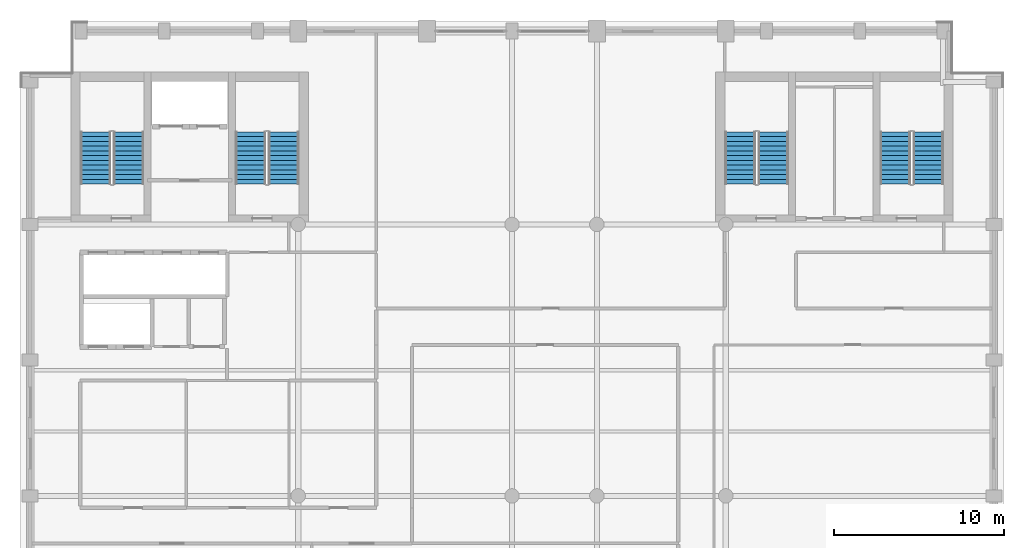
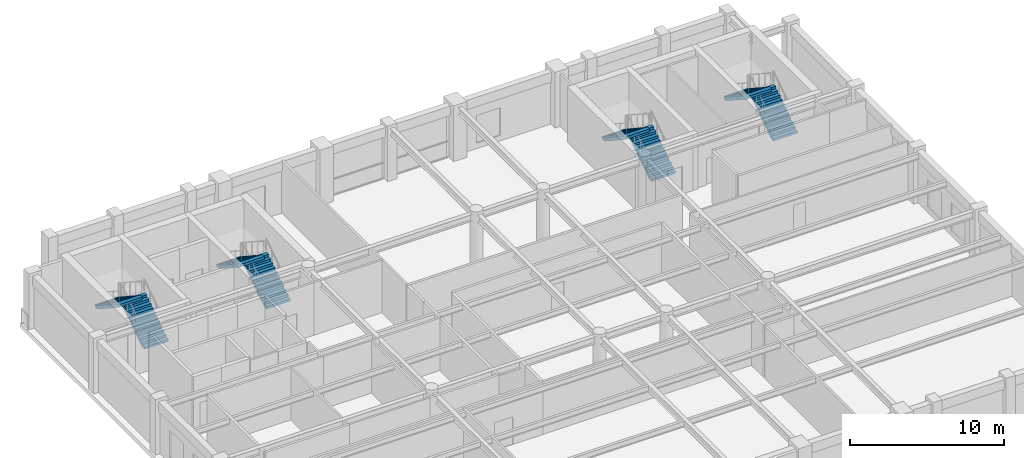
# One storey, part 10 of 13: 8 stair flights, 4 elements without a shape of their own.
"""IFC4 building model written with IfcOpenShell, lengths in metres."""

import ifcopenshell
import ifcopenshell.guid

model = None  # the IFC model being written
_history = None  # IfcOwnerHistory: only IFC2X3 demands one
_inside = {}  # id of a spatial element -> (the spatial element, [elements in it])
_under = {}  # id of a project, library or spatial element -> (it, [spatial elements below it])
_declared = {}  # id of a project -> (the project, [libraries it declares])
_typed = {}  # id of a type object -> (the type object, [elements of that type])
_made_of = {}  # id of a material, layer set ... -> (it, [elements and type objects made of it])


def new_model(schema):
    """Start an empty IFC model of exactly this schema.

    Asked for "IFC4X3", IfcOpenShell would pick the latest addendum, in which some entities
    have other attributes; the version numbers below select the first issue.
    IFC2X3 requires an IfcOwnerHistory on every rooted entity: one is made here for all.
    """
    global model, _history
    if schema == "IFC4X3":
        model = ifcopenshell.file(schema_version=(4, 3, 0, 0))
    else:
        model = ifcopenshell.file(schema=schema)
    _inside.clear()
    _under.clear()
    _declared.clear()
    _typed.clear()
    _made_of.clear()
    _history = None
    if model.schema == "IFC2X3":
        org = make("IfcOrganization", Name="unknown")
        user = make(
            "IfcPersonAndOrganization",
            ThePerson=make("IfcPerson", FamilyName="unknown"),
            TheOrganization=org,
        )
        app = make(
            "IfcApplication",
            ApplicationDeveloper=org,
            Version="unknown",
            ApplicationFullName="unknown",
            ApplicationIdentifier="unknown",
        )
        _history = make(
            "IfcOwnerHistory",
            OwningUser=user,
            OwningApplication=app,
            ChangeAction="ADDED",
            CreationDate=0,
        )
    return model


def make(cls, **values):
    """One entity of the class cls with the attributes given. An attribute that is None is left unset."""
    return model.create_entity(
        cls, **{name: value for name, value in values.items() if value is not None}
    )


def rooted(cls, **values):
    """An entity with a GlobalId (a new one), such as an element, a storey or a relation."""
    return make(cls, GlobalId=ifcopenshell.guid.new(), OwnerHistory=_history, **values)


def si_unit(unit_type, name, prefix=None):
    """IfcSIUnit, for example si_unit("LENGTHUNIT", "METRE", prefix="MILLI")."""
    return make("IfcSIUnit", UnitType=unit_type, Prefix=prefix, Name=name)


def assignment(units):
    """IfcUnitAssignment: the units of a project."""
    return None if units is None else make("IfcUnitAssignment", Units=units)


def point(xyz):
    """IfcCartesianPoint."""
    return None if xyz is None else make("IfcCartesianPoint", Coordinates=xyz)


def direction(xyz):
    """IfcDirection."""
    return None if xyz is None else make("IfcDirection", DirectionRatios=xyz)


def frame(location, z_axis=None, x_axis=None):
    """IfcAxis2Placement3D, a coordinate frame: its origin and axes. An axis left out is left unset."""
    return make(
        "IfcAxis2Placement3D",
        Location=point(location),
        Axis=direction(z_axis),
        RefDirection=direction(x_axis),
    )


def origin():
    """The frame at (0, 0, 0) with its axes left unset."""
    return frame((0.0, 0.0, 0.0))


def place(relative_to, where):
    """IfcLocalPlacement: puts the frame where relative to a parent placement (None: the world)."""
    return make(
        "IfcLocalPlacement", PlacementRelTo=relative_to, RelativePlacement=where
    )


def context(
    kind, dimensions, precision=None, world=None, true_north=None, identifier=None
):
    """IfcGeometricRepresentationContext, for example the 3D "Model" context."""
    return make(
        "IfcGeometricRepresentationContext",
        ContextIdentifier=identifier,
        ContextType=kind,
        CoordinateSpaceDimension=dimensions,
        Precision=precision,
        WorldCoordinateSystem=world,
        TrueNorth=true_north,
    )


def subcontext(parent, identifier, kind, view, scale=None):
    """IfcGeometricRepresentationSubContext, for example "Body" below "Model"."""
    return make(
        "IfcGeometricRepresentationSubContext",
        ContextIdentifier=identifier,
        ContextType=kind,
        ParentContext=parent,
        TargetScale=scale,
        TargetView=view,
    )


def project(units=None, contexts=None):
    """IfcProject with its units and contexts."""
    return rooted(
        "IfcProject",
        Name="project",
        RepresentationContexts=contexts,
        UnitsInContext=assignment(units),
    )


def spatial(cls, under=None, at=None, **own):
    """A site, building, storey or space (cls), placed at a placement, below another one or the project."""
    s = rooted(cls, ObjectPlacement=at, **own)
    if under is not None:
        _under.setdefault(under.id(), (under, []))[1].append(s)
    return s


def polyline(points):
    """IfcPolyline through the points."""
    return make("IfcPolyline", Points=[point(p) for p in points])


def outline(outer, holes=None, kind="AREA"):
    """IfcArbitraryClosedProfileDef: a profile drawn as a closed curve; with holes, ...WithVoids."""
    if holes is None:
        return make("IfcArbitraryClosedProfileDef", ProfileType=kind, OuterCurve=outer)
    return make(
        "IfcArbitraryProfileDefWithVoids",
        ProfileType=kind,
        OuterCurve=outer,
        InnerCurves=holes,
    )


def extrude(swept, where, along, depth):
    """IfcExtrudedAreaSolid: the profile swept, set in the frame where, extruded along a direction by depth."""
    return make(
        "IfcExtrudedAreaSolid",
        SweptArea=swept,
        Position=where,
        ExtrudedDirection=direction(along),
        Depth=depth,
    )


def shape(context_of_items, identifier, shape_type, items):
    """IfcShapeRepresentation: the items that make up one representation, for example the "Body"."""
    return make(
        "IfcShapeRepresentation",
        ContextOfItems=context_of_items,
        RepresentationIdentifier=identifier,
        RepresentationType=shape_type,
        Items=items,
    )


def material(Name=None, Category=None):
    """IfcMaterial."""
    return make("IfcMaterial", Name=Name, Category=Category)


def made_of(thing, what):
    """Note that an element or type object is made of a material, layer set ...; save() writes the relation."""
    if what is not None:
        _made_of.setdefault(what.id(), (what, []))[1].append(thing)
    return thing


def type_object(cls, material=None, **own):
    """A type object (cls), such as IfcWallType, which elements share."""
    return made_of(rooted(cls, **own), material)


def element(
    cls,
    number,
    at=None,
    inside=None,
    cuts=None,
    type_object=None,
    material=None,
    context=None,
    identifier="Body",
    shape_type=None,
    held_by="IfcProductDefinitionShape",
    body=None,
    shapes=None,
    **own,
):
    """One element of the class cls, such as IfcWall. Its Tag is "e" and its number.

    at: its placement. inside: the storey or other place that contains it. cuts: it is an
    opening in that element (IfcRelVoidsElement). A single representation is given by context,
    identifier, shape_type and body (its items); several are given by shapes. held_by: the class
    of the entity that holds the representations. save() writes the other relations.
    """
    e = rooted(cls, Tag="e%d" % number, ObjectPlacement=at, **own)
    if body is not None:
        shapes = [shape(context, identifier, shape_type, body)]
    if shapes is not None:
        e.Representation = make(held_by, Representations=shapes)
    if inside is not None:
        _inside.setdefault(inside.id(), (inside, []))[1].append(e)
    if cuts is not None:
        rooted(
            "IfcRelVoidsElement", RelatingBuildingElement=cuts, RelatedOpeningElement=e
        )
    if type_object is not None:
        _typed.setdefault(type_object.id(), (type_object, []))[1].append(e)
    return made_of(e, material)


def aggregate(whole, parts):
    """IfcRelAggregates: a whole, such as a stair, and the parts it consists of."""
    return rooted("IfcRelAggregates", RelatingObject=whole, RelatedObjects=parts)


def save(model, path):
    """Write the relations noted so far, then the file.

    IfcRelAggregates (storeys below a building ...), IfcRelContainedInSpatialStructure (elements
    in a storey), IfcRelDefinesByType, IfcRelAssociatesMaterial and IfcRelDeclares: one each for
    every whole, place, type object, material and project.
    """
    for whole, parts in _under.values():
        aggregate(whole, parts)
    for where, things in _inside.values():
        rooted(
            "IfcRelContainedInSpatialStructure",
            RelatedElements=things,
            RelatingStructure=where,
        )
    for kind, things in _typed.values():
        rooted("IfcRelDefinesByType", RelatedObjects=things, RelatingType=kind)
    for what, things in _made_of.values():
        rooted("IfcRelAssociatesMaterial", RelatedObjects=things, RelatingMaterial=what)
    for by, libraries in _declared.values():
        rooted("IfcRelDeclares", RelatingContext=by, RelatedDefinitions=libraries)
    model.write(path)


model = new_model("IFC4")

# Units and contexts
model_context = context("Model", 3, precision=1e-05, world=origin(), true_north=direction((0.0, 1.0)))
body_context = subcontext(model_context, "Body", "Model", "MODEL_VIEW")
ifc_project = project(units=[si_unit("LENGTHUNIT", "METRE"), si_unit("AREAUNIT", "SQUARE_METRE"), si_unit("VOLUMEUNIT", "CUBIC_METRE"), si_unit("PLANEANGLEUNIT", "RADIAN"), si_unit("MASSUNIT", "GRAM", prefix="KILO")], contexts=[model_context])

# Site, building, storey
site_placement = place(None, origin())
site = spatial("IfcSite", under=ifc_project, at=site_placement, CompositionType="ELEMENT")
building_placement = place(site_placement, origin())
building = spatial("IfcBuilding", under=site, at=building_placement, Name="Sulina Concourse Tower", CompositionType="ELEMENT")
storey_placement = place(building_placement, frame((0.0, 0.0, 280.60009765625)))
storey = spatial("IfcBuildingStorey", under=building, at=storey_placement, Name="L68", CompositionType="ELEMENT", Elevation=280.60009765625)

# Stair, stair flights
ifc_material_1 = material(Name="Concrete C50/60", Category="concrete")
stair_type_1 = type_object("IfcStairType", Name="Portal & Podium Core Exit Stair 1820mm", PredefinedType="HALF_TURN_STAIR", material=ifc_material_1)
stair_1_placement = place(storey_placement, origin())
stair_1 = element("IfcStair", 1, at=stair_1_placement, inside=storey, type_object=stair_type_1, Name="L68 ST-3", PredefinedType="HALF_TURN_STAIR")
ifc_material_2 = material(Name="Concrete C50/60", Category="concrete")
stair_flight_type_1 = type_object("IfcStairFlightType", Name="Portal & Podium Core Exit Stair 1820mm Flight", PredefinedType="STRAIGHT", material=ifc_material_2)
stair_flight_1_placement = place(storey_placement, frame((44.405029296875, 36.375, 0.0), z_axis=(0.0, 0.0, 1.0), x_axis=(0.0, 1.0, 0.0)))
stair_flight_1 = element("IfcStairFlight", 2, at=stair_flight_1_placement, type_object=stair_flight_type_1, Name="ST-3 flight 1", NumberOfRisers=12, NumberOfTreads=11, PredefinedType="STRAIGHT", RiserHeight=0.183333333, TreadLength=0.28, context=body_context, shape_type="SweptSolid", body=[
    extrude(outline(polyline([(0.0, 0.0), (0.0, 0.183349609375), (0.280029296875, 0.183349609375), (0.280029296875, 0.36669921875), (0.56005859375, 0.36669921875), (0.56005859375, 0.550048828125), (0.840087890625, 0.550048828125), (0.840087890625, 0.7333984375), (1.1201171875, 0.7333984375), (1.1201171875, 0.916748046875), (1.39990234375, 0.916748046875), (1.39990234375, 1.10009765625), (1.679931640625, 1.10009765625), (1.679931640625, 1.283447265625), (1.9599609375, 1.283447265625), (1.9599609375, 1.466552734375), (2.239990234375, 1.466552734375), (2.239990234375, 1.64990234375), (2.52001953125, 1.64990234375), (2.52001953125, 1.833251953125), (2.800048828125, 1.833251953125), (2.800048828125, 2.0166015625), (3.080078125, 2.0166015625), (3.080078125, 2.199951171875), (3.080078125, 1.801513671875), (0.328369140625, 0.0), (0.0, 0.0)])), frame((0.0, 0.89990234375, 0.0), z_axis=(0.0, -1.0, 0.0), x_axis=(1.0, 0.0, 0.0)), (0.0, 0.0, 1.0), 1.800048828125),
])
stair_flight_2_placement = place(storey_placement, frame((42.455078125, 39.455078125, 2.199951171875), z_axis=(0.0, 0.0, 1.0), x_axis=(0.0, -1.0, 0.0)))
stair_flight_2 = element("IfcStairFlight", 3, at=stair_flight_2_placement, type_object=stair_flight_type_1, Name="ST-3 flight 2", NumberOfRisers=12, NumberOfTreads=11, PredefinedType="STRAIGHT", RiserHeight=0.183333333, TreadLength=0.28, context=body_context, shape_type="SweptSolid", body=[
    extrude(outline(polyline([(0.0, 0.0), (0.0, 0.183349609375), (0.280029296875, 0.183349609375), (0.280029296875, 0.36669921875), (0.56005859375, 0.36669921875), (0.56005859375, 0.550048828125), (0.840087890625, 0.550048828125), (0.840087890625, 0.7333984375), (1.1201171875, 0.7333984375), (1.1201171875, 0.916748046875), (1.39990234375, 0.916748046875), (1.39990234375, 1.10009765625), (1.679931640625, 1.10009765625), (1.679931640625, 1.283447265625), (1.9599609375, 1.283447265625), (1.9599609375, 1.466552734375), (2.239990234375, 1.466552734375), (2.239990234375, 1.64990234375), (2.52001953125, 1.64990234375), (2.52001953125, 1.833251953125), (2.800048828125, 1.833251953125), (2.800048828125, 2.0166015625), (3.080078125, 2.0166015625), (3.080078125, 2.199951171875), (3.080078125, 1.801513671875), (0.328369140625, 0.0), (0.0, 0.0)])), frame((0.0, 0.89990234375, 0.0), z_axis=(0.0, -1.0, 0.0), x_axis=(1.0, 0.0, 0.0)), (0.0, 0.0, 1.0), 1.800048828125),
])
aggregate(stair_1, [stair_flight_1, stair_flight_2])

stair_2_placement = place(storey_placement, origin())
stair_2 = element("IfcStair", 4, at=stair_2_placement, inside=storey, type_object=stair_type_1, Name="L68 ST-4", PredefinedType="HALF_TURN_STAIR")
stair_flight_3_placement = place(storey_placement, frame((53.544921875, 36.375, 0.0), z_axis=(0.0, 0.0, 1.0), x_axis=(0.0, 1.0, 0.0)))
stair_flight_3 = element("IfcStairFlight", 5, at=stair_flight_3_placement, type_object=stair_flight_type_1, Name="ST-4 flight 1", NumberOfRisers=12, NumberOfTreads=11, PredefinedType="STRAIGHT", RiserHeight=0.183333333, TreadLength=0.28, context=body_context, shape_type="SweptSolid", body=[
    extrude(outline(polyline([(0.0, 0.0), (0.0, 0.183349609375), (0.280029296875, 0.183349609375), (0.280029296875, 0.36669921875), (0.56005859375, 0.36669921875), (0.56005859375, 0.550048828125), (0.840087890625, 0.550048828125), (0.840087890625, 0.7333984375), (1.1201171875, 0.7333984375), (1.1201171875, 0.916748046875), (1.39990234375, 0.916748046875), (1.39990234375, 1.10009765625), (1.679931640625, 1.10009765625), (1.679931640625, 1.283447265625), (1.9599609375, 1.283447265625), (1.9599609375, 1.466552734375), (2.239990234375, 1.466552734375), (2.239990234375, 1.64990234375), (2.52001953125, 1.64990234375), (2.52001953125, 1.833251953125), (2.800048828125, 1.833251953125), (2.800048828125, 2.0166015625), (3.080078125, 2.0166015625), (3.080078125, 2.199951171875), (3.080078125, 1.801513671875), (0.328369140625, 0.0), (0.0, 0.0)])), frame((0.0, 0.89990234375, 0.0), z_axis=(0.0, -1.0, 0.0), x_axis=(1.0, 0.0, 0.0)), (0.0, 0.0, 1.0), 1.800048828125),
])
stair_flight_4_placement = place(storey_placement, frame((51.594970703125, 39.455078125, 2.199951171875), z_axis=(0.0, 0.0, 1.0), x_axis=(0.0, -1.0, 0.0)))
stair_flight_4 = element("IfcStairFlight", 6, at=stair_flight_4_placement, type_object=stair_flight_type_1, Name="ST-4 flight 2", NumberOfRisers=12, NumberOfTreads=11, PredefinedType="STRAIGHT", RiserHeight=0.183333333, TreadLength=0.28, context=body_context, shape_type="SweptSolid", body=[
    extrude(outline(polyline([(0.0, 0.0), (0.0, 0.183349609375), (0.280029296875, 0.183349609375), (0.280029296875, 0.36669921875), (0.56005859375, 0.36669921875), (0.56005859375, 0.550048828125), (0.840087890625, 0.550048828125), (0.840087890625, 0.7333984375), (1.1201171875, 0.7333984375), (1.1201171875, 0.916748046875), (1.39990234375, 0.916748046875), (1.39990234375, 1.10009765625), (1.679931640625, 1.10009765625), (1.679931640625, 1.283447265625), (1.9599609375, 1.283447265625), (1.9599609375, 1.466552734375), (2.239990234375, 1.466552734375), (2.239990234375, 1.64990234375), (2.52001953125, 1.64990234375), (2.52001953125, 1.833251953125), (2.800048828125, 1.833251953125), (2.800048828125, 2.0166015625), (3.080078125, 2.0166015625), (3.080078125, 2.199951171875), (3.080078125, 1.801513671875), (0.328369140625, 0.0), (0.0, 0.0)])), frame((0.0, 0.89990234375, 0.0), z_axis=(0.0, -1.0, 0.0), x_axis=(1.0, 0.0, 0.0)), (0.0, 0.0, 1.0), 1.800048828125),
])
aggregate(stair_2, [stair_flight_3, stair_flight_4])

ifc_material_3 = material(Name="Concrete C50/60", Category="concrete")
stair_type_2 = type_object("IfcStairType", Name="Primary Core Dog-Leg Exit Stair 1800mm", PredefinedType="HALF_TURN_STAIR", material=ifc_material_3)
stair_3_placement = place(storey_placement, origin())
stair_3 = element("IfcStair", 7, at=stair_3_placement, inside=storey, type_object=stair_type_2, Name="L68 ST-1", PredefinedType="HALF_TURN_STAIR")
ifc_material_4 = material(Name="Concrete C50/60", Category="concrete")
stair_flight_type_2 = type_object("IfcStairFlightType", Name="Primary Core Dog-Leg Exit Stair 1800mm Flight", PredefinedType="STRAIGHT", material=ifc_material_4)
stair_flight_5_placement = place(storey_placement, frame((6.405029296875, 36.375, 0.0), z_axis=(0.0, 0.0, 1.0), x_axis=(0.0, 1.0, 0.0)))
stair_flight_5 = element("IfcStairFlight", 8, at=stair_flight_5_placement, type_object=stair_flight_type_2, Name="ST-1 flight 1", NumberOfRisers=12, NumberOfTreads=11, PredefinedType="STRAIGHT", RiserHeight=0.183333333, TreadLength=0.28, context=body_context, shape_type="SweptSolid", body=[
    extrude(outline(polyline([(0.0, 0.0), (0.0, 0.183349609375), (0.280029296875, 0.183349609375), (0.280029296875, 0.36669921875), (0.56005859375, 0.36669921875), (0.56005859375, 0.550048828125), (0.840087890625, 0.550048828125), (0.840087890625, 0.7333984375), (1.1201171875, 0.7333984375), (1.1201171875, 0.916748046875), (1.39990234375, 0.916748046875), (1.39990234375, 1.10009765625), (1.679931640625, 1.10009765625), (1.679931640625, 1.283447265625), (1.9599609375, 1.283447265625), (1.9599609375, 1.466552734375), (2.239990234375, 1.466552734375), (2.239990234375, 1.64990234375), (2.52001953125, 1.64990234375), (2.52001953125, 1.833251953125), (2.800048828125, 1.833251953125), (2.800048828125, 2.0166015625), (3.080078125, 2.0166015625), (3.080078125, 2.199951171875), (3.080078125, 1.801513671875), (0.328369140625, 0.0), (0.0, 0.0)])), frame((0.0, 0.89990234375, 0.0), z_axis=(0.0, -1.0, 0.0), x_axis=(1.0, 0.0, 0.0)), (0.0, 0.0, 1.0), 1.800048828125),
])
stair_flight_6_placement = place(storey_placement, frame((4.455078125, 39.455078125, 2.199951171875), z_axis=(0.0, 0.0, 1.0), x_axis=(0.0, -1.0, 0.0)))
stair_flight_6 = element("IfcStairFlight", 9, at=stair_flight_6_placement, type_object=stair_flight_type_2, Name="ST-1 flight 2", NumberOfRisers=12, NumberOfTreads=11, PredefinedType="STRAIGHT", RiserHeight=0.183333333, TreadLength=0.28, context=body_context, shape_type="SweptSolid", body=[
    extrude(outline(polyline([(0.0, 0.0), (0.0, 0.183349609375), (0.280029296875, 0.183349609375), (0.280029296875, 0.36669921875), (0.56005859375, 0.36669921875), (0.56005859375, 0.550048828125), (0.840087890625, 0.550048828125), (0.840087890625, 0.7333984375), (1.1201171875, 0.7333984375), (1.1201171875, 0.916748046875), (1.39990234375, 0.916748046875), (1.39990234375, 1.10009765625), (1.679931640625, 1.10009765625), (1.679931640625, 1.283447265625), (1.9599609375, 1.283447265625), (1.9599609375, 1.466552734375), (2.239990234375, 1.466552734375), (2.239990234375, 1.64990234375), (2.52001953125, 1.64990234375), (2.52001953125, 1.833251953125), (2.800048828125, 1.833251953125), (2.800048828125, 2.0166015625), (3.080078125, 2.0166015625), (3.080078125, 2.199951171875), (3.080078125, 1.801513671875), (0.328369140625, 0.0), (0.0, 0.0)])), frame((0.0, 0.89990234375, 0.0), z_axis=(0.0, -1.0, 0.0), x_axis=(1.0, 0.0, 0.0)), (0.0, 0.0, 1.0), 1.800048828125),
])
aggregate(stair_3, [stair_flight_5, stair_flight_6])

stair_4_placement = place(storey_placement, origin())
stair_4 = element("IfcStair", 10, at=stair_4_placement, inside=storey, type_object=stair_type_2, Name="L68 ST-2", PredefinedType="HALF_TURN_STAIR")
stair_flight_7_placement = place(storey_placement, frame((15.544921875, 36.375, 0.0), z_axis=(0.0, 0.0, 1.0), x_axis=(0.0, 1.0, 0.0)))
stair_flight_7 = element("IfcStairFlight", 11, at=stair_flight_7_placement, type_object=stair_flight_type_2, Name="ST-2 flight 1", NumberOfRisers=12, NumberOfTreads=11, PredefinedType="STRAIGHT", RiserHeight=0.183333333, TreadLength=0.28, context=body_context, shape_type="SweptSolid", body=[
    extrude(outline(polyline([(0.0, 0.0), (0.0, 0.183349609375), (0.280029296875, 0.183349609375), (0.280029296875, 0.36669921875), (0.56005859375, 0.36669921875), (0.56005859375, 0.550048828125), (0.840087890625, 0.550048828125), (0.840087890625, 0.7333984375), (1.1201171875, 0.7333984375), (1.1201171875, 0.916748046875), (1.39990234375, 0.916748046875), (1.39990234375, 1.10009765625), (1.679931640625, 1.10009765625), (1.679931640625, 1.283447265625), (1.9599609375, 1.283447265625), (1.9599609375, 1.466552734375), (2.239990234375, 1.466552734375), (2.239990234375, 1.64990234375), (2.52001953125, 1.64990234375), (2.52001953125, 1.833251953125), (2.800048828125, 1.833251953125), (2.800048828125, 2.0166015625), (3.080078125, 2.0166015625), (3.080078125, 2.199951171875), (3.080078125, 1.801513671875), (0.328369140625, 0.0), (0.0, 0.0)])), frame((0.0, 0.89990234375, 0.0), z_axis=(0.0, -1.0, 0.0), x_axis=(1.0, 0.0, 0.0)), (0.0, 0.0, 1.0), 1.800048828125),
])
stair_flight_8_placement = place(storey_placement, frame((13.594970703125, 39.455078125, 2.199951171875), z_axis=(0.0, 0.0, 1.0), x_axis=(0.0, -1.0, 0.0)))
stair_flight_8 = element("IfcStairFlight", 12, at=stair_flight_8_placement, type_object=stair_flight_type_2, Name="ST-2 flight 2", NumberOfRisers=12, NumberOfTreads=11, PredefinedType="STRAIGHT", RiserHeight=0.183333333, TreadLength=0.28, context=body_context, shape_type="SweptSolid", body=[
    extrude(outline(polyline([(0.0, 0.0), (0.0, 0.183349609375), (0.280029296875, 0.183349609375), (0.280029296875, 0.36669921875), (0.56005859375, 0.36669921875), (0.56005859375, 0.550048828125), (0.840087890625, 0.550048828125), (0.840087890625, 0.7333984375), (1.1201171875, 0.7333984375), (1.1201171875, 0.916748046875), (1.39990234375, 0.916748046875), (1.39990234375, 1.10009765625), (1.679931640625, 1.10009765625), (1.679931640625, 1.283447265625), (1.9599609375, 1.283447265625), (1.9599609375, 1.466552734375), (2.239990234375, 1.466552734375), (2.239990234375, 1.64990234375), (2.52001953125, 1.64990234375), (2.52001953125, 1.833251953125), (2.800048828125, 1.833251953125), (2.800048828125, 2.0166015625), (3.080078125, 2.0166015625), (3.080078125, 2.199951171875), (3.080078125, 1.801513671875), (0.328369140625, 0.0), (0.0, 0.0)])), frame((0.0, 0.89990234375, 0.0), z_axis=(0.0, -1.0, 0.0), x_axis=(1.0, 0.0, 0.0)), (0.0, 0.0, 1.0), 1.800048828125),
])
aggregate(stair_4, [stair_flight_7, stair_flight_8])

save(model, "model.ifc")
